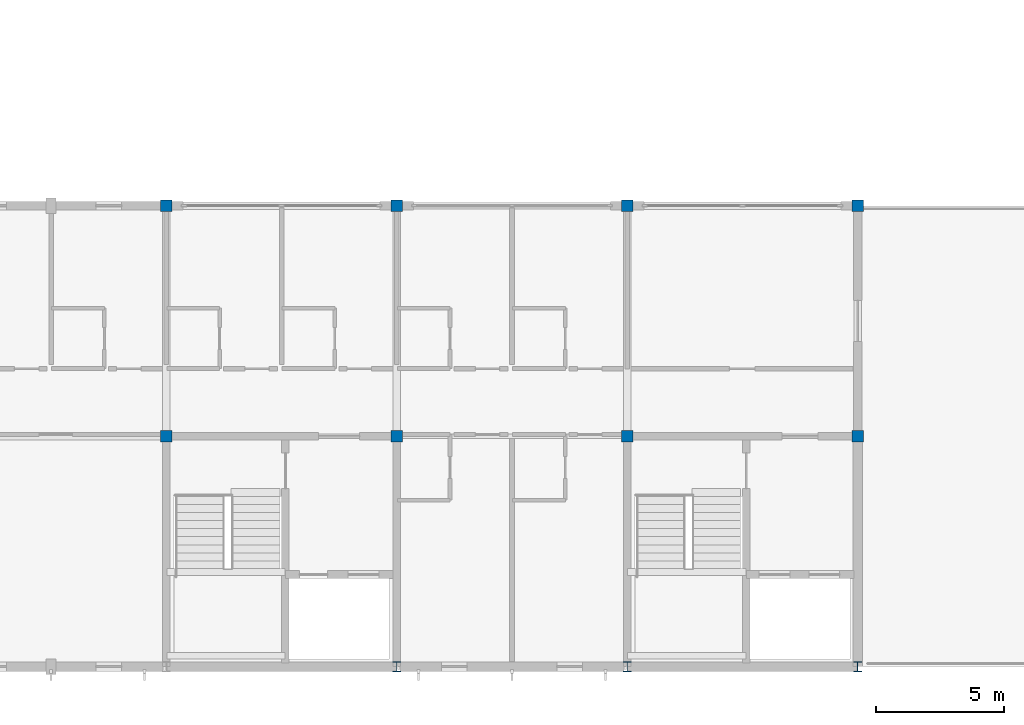
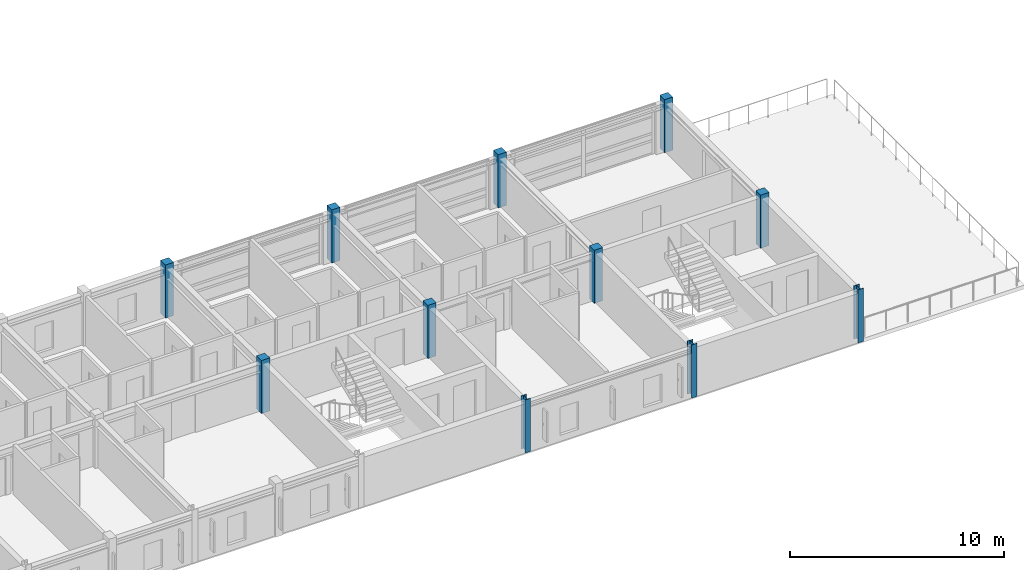
# One storey, part 2 of 24: 11 columns.
"""IFC4 building model written with IfcOpenShell, lengths in metres."""

from ifc_helpers import new_model, si_unit, direction, frame, origin, origin_2d, place, context, subcontext, project, spatial, rectangle, i_section, extrude, material, material_profile, profile_set, type_object, element, save


model = new_model("IFC4")

# Units and contexts
model_context = context("Model", 3, precision=1e-05, world=origin(), true_north=direction((0.0, 1.0)))
body_context = subcontext(model_context, "Body", "Model", "MODEL_VIEW")
ifc_project = project(units=[si_unit("LENGTHUNIT", "METRE"), si_unit("AREAUNIT", "SQUARE_METRE"), si_unit("VOLUMEUNIT", "CUBIC_METRE"), si_unit("PLANEANGLEUNIT", "RADIAN"), si_unit("MASSUNIT", "GRAM", prefix="KILO")], contexts=[model_context])

# Site, building, storey
site_placement = place(None, origin())
site = spatial("IfcSite", under=ifc_project, at=site_placement, CompositionType="ELEMENT")
building_placement = place(site_placement, origin())
building = spatial("IfcBuilding", under=site, at=building_placement, Name="Palais des Congres Ocreval", CompositionType="ELEMENT")
storey_placement = place(building_placement, frame((0.0, 0.0, 17.60009765625)))
storey = spatial("IfcBuildingStorey", under=building, at=storey_placement, Name="L05", CompositionType="ELEMENT", Elevation=17.60009765625)

# Columns
ifc_material_1 = material(Name="Steel S355", Category="steel")
ifc_material_profile_1 = material_profile(ifc_material_1, i_section(OverallWidth=0.300048828125, OverallDepth=0.39990234375, WebThickness=0.013427734375, FlangeThickness=0.02392578125, at=origin_2d()), Name="HEB 400")
ifc_profile_set_1 = profile_set([ifc_material_profile_1], Name="Steel S355")
column_type_1 = type_object("IfcColumnType", Name="Column HEB 400 Steel S355", PredefinedType="COLUMN", material=ifc_profile_set_1)
for number, where, z_axis, x_axis, name in (
    (1, (45.0, 0.0, 0.0), (0.0, 0.0, 1.0), (1.0, 0.0, 0.0), "Column C10 L05"),
    (2, (54.0, 0.0, 0.0), (0.0, 0.0, 1.0), (1.0, 0.0, 0.0), "Column C10 L05"),
    (3, (63.0, 0.0, 0.0), (0.0, 0.0, 1.0), (1.0, 0.0, 0.0), "Column C10 L05"),
):
    element("IfcColumn", number, at=place(storey_placement, frame(where, z_axis=z_axis, x_axis=x_axis)), inside=storey, type_object=column_type_1, Name=name, PredefinedType="COLUMN", context=body_context, shape_type="SweptSolid", body=[
        extrude(i_section(OverallWidth=0.300048828125, OverallDepth=0.39990234375, WebThickness=0.013427734375, FlangeThickness=0.02392578125, at=origin_2d()), origin(), (0.0, 0.0, 1.0), 3.039794921875),
    ])
ifc_material_2 = material(Name="Concrete C40/50", Category="concrete")
ifc_material_profile_2 = material_profile(ifc_material_2, rectangle(XDim=0.449951171875, YDim=0.449951171875, at=origin_2d()), Name="RC 450x450")
ifc_profile_set_2 = profile_set([ifc_material_profile_2], Name="Concrete C40/50")
column_type_2 = type_object("IfcColumnType", Name="Column RC 450x450 Concrete C40/50", PredefinedType="COLUMN", material=ifc_profile_set_2)
for number, where, z_axis, x_axis, name in (
    (4, (36.0, 9.0, 0.0), (0.0, 0.0, 1.0), (1.0, 0.0, 0.0), "Column C25 L05"),
    (5, (36.0, 18.0, 0.0), (0.0, 0.0, 1.0), (1.0, 0.0, 0.0), "Column C25 L05"),
    (6, (45.0, 9.0, 0.0), (0.0, 0.0, 1.0), (1.0, 0.0, 0.0), "Column C25 L05"),
    (7, (45.0, 18.0, 0.0), (0.0, 0.0, 1.0), (1.0, 0.0, 0.0), "Column C25 L05"),
    (8, (54.0, 9.0, 0.0), (0.0, 0.0, 1.0), (1.0, 0.0, 0.0), "Column C25 L05"),
    (9, (54.0, 18.0, 0.0), (0.0, 0.0, 1.0), (1.0, 0.0, 0.0), "Column C25 L05"),
    (10, (63.0, 9.0, 0.0), (0.0, 0.0, 1.0), (1.0, 0.0, 0.0), "Column C25 L05"),
    (11, (63.0, 18.0, 0.0), (0.0, 0.0, 1.0), (1.0, 0.0, 0.0), "Column C25 L05"),
):
    element("IfcColumn", number, at=place(storey_placement, frame(where, z_axis=z_axis, x_axis=x_axis)), inside=storey, type_object=column_type_2, Name=name, PredefinedType="COLUMN", context=body_context, shape_type="SweptSolid", body=[
        extrude(rectangle(XDim=0.449951171875, YDim=0.449951171875, at=origin_2d()), origin(), (0.0, 0.0, 1.0), 3.039794921875),
    ])

save(model, "model.ifc")
